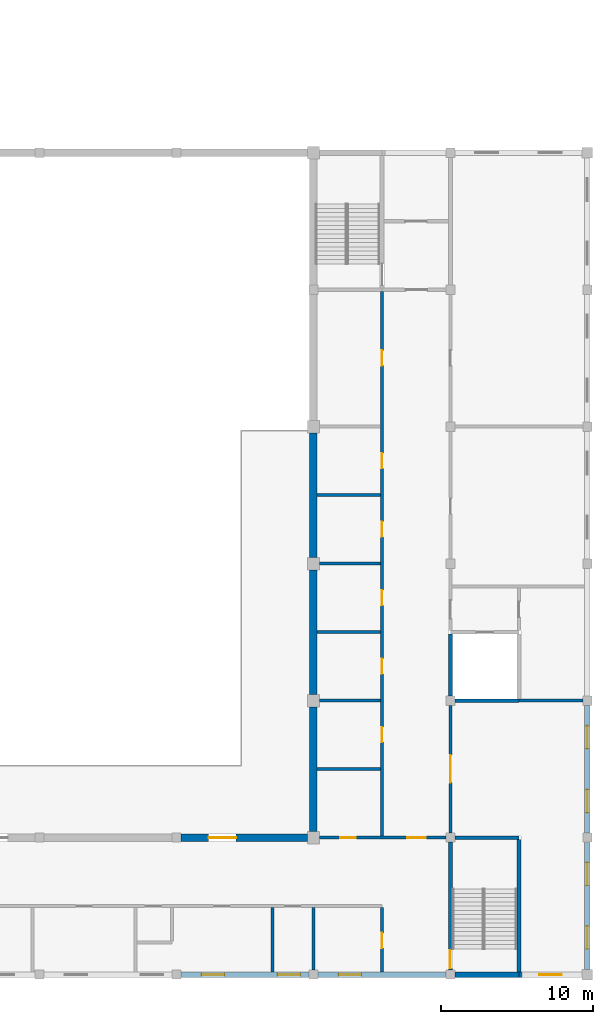
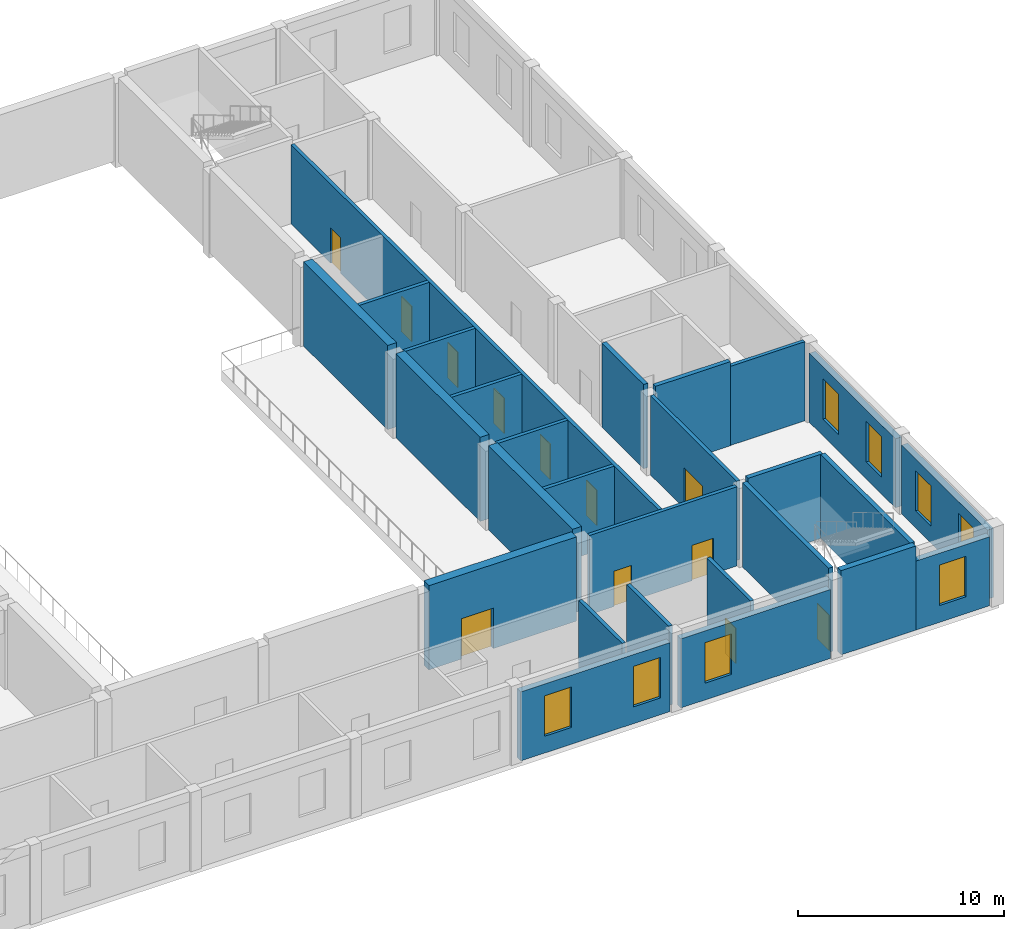
# One storey, part 25 of 34: 27 walls, 12 doors, 8 windows, 20 openings.
"""IFC4 building model written with IfcOpenShell, lengths in metres."""

from ifc_helpers import new_model, si_unit, direction, frame, frame_2d, origin, place, context, subcontext, project, spatial, rectangle, extrude, material, layer, layer_set, type_object, element, fill, save


model = new_model("IFC4")

# Units and contexts
model_context = context("Model", 3, precision=1e-05, world=origin(), true_north=direction((0.0, 1.0)))
body_context = subcontext(model_context, "Body", "Model", "MODEL_VIEW")
ifc_project = project(units=[si_unit("LENGTHUNIT", "METRE"), si_unit("AREAUNIT", "SQUARE_METRE"), si_unit("VOLUMEUNIT", "CUBIC_METRE"), si_unit("PLANEANGLEUNIT", "RADIAN"), si_unit("MASSUNIT", "GRAM", prefix="KILO")], contexts=[model_context])

# Site, building, storey
site_placement = place(None, origin())
site = spatial("IfcSite", under=ifc_project, at=site_placement, CompositionType="ELEMENT")
building_placement = place(site_placement, origin())
building = spatial("IfcBuilding", under=site, at=building_placement, Name="Firuza Court", CompositionType="ELEMENT")
storey_placement = place(building_placement, frame((0.0, 0.0, 14.0)))
storey = spatial("IfcBuildingStorey", under=building, at=storey_placement, Name="L02", CompositionType="ELEMENT", Elevation=14.0)

# Wall, openings, doors
ifc_material_1 = material(Name="Blockwork", Category="masonry")
ifc_layer_1 = layer(ifc_material_1, 0.199951171875)
ifc_layer_set_1 = layer_set([ifc_layer_1], Name="Blockwork")
wall_type_1 = type_object("IfcWallType", Name="HALL PARTITION 200", PredefinedType="STANDARD", material=ifc_layer_set_1)
wall_1_placement = place(storey_placement, frame((135.39990234375, 0.0, 0.0), z_axis=(0.0, 0.0, 1.0), x_axis=(1.0, 0.0, 0.0)))
wall_1 = element("IfcWall", 1, at=wall_1_placement, inside=storey, type_object=wall_type_1, Name="Wall L02.18", PredefinedType="STANDARD", context=body_context, shape_type="SweptSolid", body=[
    extrude(rectangle(XDim=8.300048828125, YDim=0.199951171875, at=frame_2d((4.14990234375, 0.0))), origin(), (0.0, 0.0, 1.0), 4.699951171875),
])
opening_1_placement = place(wall_1_placement, frame((5.77001953125, 0.0, 0.0)))
opening_1 = element("IfcOpeningElement", 2, at=opening_1_placement, cuts=wall_1, Name="Opening H086", PredefinedType="OPENING", context=body_context, shape_type="SweptSolid", body=[
    extrude(rectangle(XDim=1.199951171875, YDim=2.10009765625, at=frame_2d((0.60009765625, 1.050048828125))), frame((0.0, 0.11181640625, 0.0), z_axis=(0.0, -1.0, 0.0), x_axis=(1.0, 0.0, 0.0)), (0.0, 0.0, 1.0), 0.223876953125),
])
opening_2_placement = place(wall_1_placement, frame((1.3701171875, 0.0, 0.0)))
opening_2 = element("IfcOpeningElement", 3, at=opening_2_placement, cuts=wall_1, Name="Opening H107", PredefinedType="OPENING", context=body_context, shape_type="SweptSolid", body=[
    extrude(rectangle(XDim=1.0, YDim=2.10009765625, at=frame_2d((0.5, 1.050048828125))), frame((0.0, 0.11181640625, 0.0), z_axis=(0.0, -1.0, 0.0), x_axis=(1.0, 0.0, 0.0)), (0.0, 0.0, 1.0), 0.223876953125),
])
ifc_material_2 = material(Name="Timber", Category="wood")
door_type_1 = type_object("IfcDoorType", Name="HALL DOOR 1000X2100", OperationType="SINGLE_SWING_LEFT", PredefinedType="DOOR", material=ifc_material_2)
door_1_placement = place(opening_2_placement, origin())
door_1 = element("IfcDoor", 4, at=door_1_placement, inside=storey, type_object=door_type_1, Name="Door Dressing room 7", OperationType="SINGLE_SWING_LEFT", OverallHeight=2.10009765625, OverallWidth=1.0, PredefinedType="DOOR", context=body_context, shape_type="SweptSolid", body=[
    extrude(rectangle(XDim=1.0, YDim=2.10009765625, at=frame_2d((0.5, 1.050048828125))), frame((0.0, 0.02490234375, 0.0), z_axis=(0.0, -1.0, 0.0), x_axis=(1.0, 0.0, 0.0)), (0.0, 0.0, 1.0), 0.050048828125),
])
fill(opening_2, door_1)
ifc_material_3 = material(Name="Timber", Category="wood")
door_type_2 = type_object("IfcDoorType", Name="HALL DOOR 1200X2100", OperationType="SINGLE_SWING_LEFT", PredefinedType="DOOR", material=ifc_material_3)
door_2_placement = place(opening_1_placement, origin())
door_2 = element("IfcDoor", 5, at=door_2_placement, inside=storey, type_object=door_type_2, Name="Door Gallery to Backstage corridor", OperationType="SINGLE_SWING_RIGHT", OverallHeight=2.10009765625, OverallWidth=1.199951171875, PredefinedType="DOOR", context=body_context, shape_type="SweptSolid", body=[
    extrude(rectangle(XDim=1.199951171875, YDim=2.10009765625, at=frame_2d((0.60009765625, 1.050048828125))), frame((0.0, 0.02490234375, 0.0), z_axis=(0.0, -1.0, 0.0), x_axis=(1.0, 0.0, 0.0)), (0.0, 0.0, 1.0), 0.050048828125),
])
fill(opening_1, door_2)

# Walls
wall_2_placement = place(storey_placement, frame((135.25, 4.5, 0.0), z_axis=(0.0, 0.0, 1.0), x_axis=(1.0, 0.0, 0.0)))
element("IfcWall", 6, at=wall_2_placement, inside=storey, type_object=wall_type_1, Name="Wall L02.20", PredefinedType="STANDARD", context=body_context, shape_type="SweptSolid", body=[
    extrude(rectangle(XDim=4.14990234375, YDim=0.199951171875, at=frame_2d((2.074951171875, 0.0))), origin(), (0.0, 0.0, 1.0), 4.699951171875),
])
wall_3_placement = place(storey_placement, frame((135.39990234375, 9.0, 0.0), z_axis=(0.0, 0.0, 1.0), x_axis=(1.0, 0.0, 0.0)))
element("IfcWall", 7, at=wall_3_placement, inside=storey, type_object=wall_type_1, Name="Wall L02.21", PredefinedType="STANDARD", context=body_context, shape_type="SweptSolid", body=[
    extrude(rectangle(XDim=4.0, YDim=0.199951171875, at=frame_2d((2.0, 0.0))), origin(), (0.0, 0.0, 1.0), 4.699951171875),
])
wall_4_placement = place(storey_placement, frame((148.5, 9.0, 0.0), z_axis=(0.0, 0.0, 1.0), x_axis=(1.0, 0.0, 0.0)))
element("IfcWall", 8, at=wall_4_placement, inside=storey, type_object=wall_type_1, Name="Wall L02.23", PredefinedType="STANDARD", context=body_context, shape_type="SweptSolid", body=[
    extrude(rectangle(XDim=4.199951171875, YDim=0.199951171875, at=frame_2d((2.10009765625, 0.0))), origin(), (0.0, 0.0, 1.0), 4.699951171875),
])
wall_5_placement = place(storey_placement, frame((135.25, 13.5, 0.0), z_axis=(0.0, 0.0, 1.0), x_axis=(1.0, 0.0, 0.0)))
element("IfcWall", 9, at=wall_5_placement, inside=storey, type_object=wall_type_1, Name="Wall L02.24", PredefinedType="STANDARD", context=body_context, shape_type="SweptSolid", body=[
    extrude(rectangle(XDim=4.14990234375, YDim=0.199951171875, at=frame_2d((2.074951171875, 0.0))), origin(), (0.0, 0.0, 1.0), 4.699951171875),
])
wall_6_placement = place(storey_placement, frame((135.39990234375, 18.0, 0.0), z_axis=(0.0, 0.0, 1.0), x_axis=(1.0, 0.0, 0.0)))
element("IfcWall", 10, at=wall_6_placement, inside=storey, type_object=wall_type_1, Name="Wall L02.29", PredefinedType="STANDARD", context=body_context, shape_type="SweptSolid", body=[
    extrude(rectangle(XDim=4.0, YDim=0.199951171875, at=frame_2d((2.0, 0.0))), origin(), (0.0, 0.0, 1.0), 4.699951171875),
])
wall_7_placement = place(storey_placement, frame((135.25, 22.5, 0.0), z_axis=(0.0, 0.0, 1.0), x_axis=(1.0, 0.0, 0.0)))
element("IfcWall", 11, at=wall_7_placement, inside=storey, type_object=wall_type_1, Name="Wall L02.30", PredefinedType="STANDARD", context=body_context, shape_type="SweptSolid", body=[
    extrude(rectangle(XDim=4.14990234375, YDim=0.199951171875, at=frame_2d((2.074951171875, 0.0))), origin(), (0.0, 0.0, 1.0), 4.699951171875),
])
wall_8_placement = place(storey_placement, frame((132.300048828125, -8.824951171875, 0.0), z_axis=(0.0, 0.0, 1.0), x_axis=(0.0, 1.0, 0.0)))
element("IfcWall", 12, at=wall_8_placement, inside=storey, type_object=wall_type_1, Name="Wall L02.71", PredefinedType="STANDARD", context=body_context, shape_type="SweptSolid", body=[
    extrude(rectangle(XDim=4.224853515625, YDim=0.199951171875, at=frame_2d((2.1123046875, 0.0))), origin(), (0.0, 0.0, 1.0), 4.699951171875),
])
wall_9_placement = place(storey_placement, frame((135.0, -8.699951171875, 0.0), z_axis=(0.0, 0.0, 1.0), x_axis=(0.0, 1.0, 0.0)))
element("IfcWall", 13, at=wall_9_placement, inside=storey, type_object=wall_type_1, Name="Wall L02.72", PredefinedType="STANDARD", context=body_context, shape_type="SweptSolid", body=[
    extrude(rectangle(XDim=4.099853515625, YDim=0.199951171875, at=frame_2d((2.0498046875, 0.0))), origin(), (0.0, 0.0, 1.0), 4.699951171875),
])

# Wall, opening, door
wall_10_placement = place(storey_placement, frame((139.5, -8.824951171875, 0.0), z_axis=(0.0, 0.0, 1.0), x_axis=(0.0, 1.0, 0.0)))
wall_10 = element("IfcWall", 14, at=wall_10_placement, inside=storey, type_object=wall_type_1, Name="Wall L02.78", PredefinedType="STANDARD", context=body_context, shape_type="SweptSolid", body=[
    extrude(rectangle(XDim=4.224853515625, YDim=0.199951171875, at=frame_2d((2.1123046875, 0.0))), origin(), (0.0, 0.0, 1.0), 4.699951171875),
])
opening_3_placement = place(wall_10_placement, frame((1.570068359375, 0.0, 0.0)))
opening_3 = element("IfcOpeningElement", 15, at=opening_3_placement, cuts=wall_10, Name="Opening H100", PredefinedType="OPENING", context=body_context, shape_type="SweptSolid", body=[
    extrude(rectangle(XDim=1.0, YDim=2.10009765625, at=frame_2d((0.5, 1.050048828125))), frame((0.0, 0.11181640625, 0.0), z_axis=(0.0, -1.0, 0.0), x_axis=(1.0, 0.0, 0.0)), (0.0, 0.0, 1.0), 0.223876953125),
])
door_3_placement = place(opening_3_placement, origin())
door_3 = element("IfcDoor", 16, at=door_3_placement, inside=storey, type_object=door_type_1, Name="Door Instrument workshop", OperationType="SINGLE_SWING_LEFT", OverallHeight=2.10009765625, OverallWidth=1.0, PredefinedType="DOOR", context=body_context, shape_type="SweptSolid", body=[
    extrude(rectangle(XDim=1.0, YDim=2.10009765625, at=frame_2d((0.5, 1.050048828125))), frame((0.0, 0.02490234375, 0.0), z_axis=(0.0, -1.0, 0.0), x_axis=(1.0, 0.0, 0.0)), (0.0, 0.0, 1.0), 0.050048828125),
])
fill(opening_3, door_3)

# Wall, openings, doors
wall_11_placement = place(storey_placement, frame((139.5, 0.10009765625, 0.0), z_axis=(0.0, 0.0, 1.0), x_axis=(0.0, 1.0, 0.0)))
wall_11 = element("IfcWall", 17, at=wall_11_placement, inside=storey, type_object=wall_type_1, Name="Wall L02.79", PredefinedType="STANDARD", context=body_context, shape_type="SweptSolid", body=[
    extrude(rectangle(XDim=35.77490234375, YDim=0.199951171875, at=frame_2d((17.887451171875, 0.0))), origin(), (0.0, 0.0, 1.0), 4.699951171875),
])
opening_4_placement = place(wall_11_placement, frame((6.169921875, 0.0, 0.0)))
opening_4 = element("IfcOpeningElement", 18, at=opening_4_placement, cuts=wall_11, Name="Opening H108", PredefinedType="OPENING", context=body_context, shape_type="SweptSolid", body=[
    extrude(rectangle(XDim=1.0, YDim=2.10009765625, at=frame_2d((0.5, 1.050048828125))), frame((0.0, 0.11181640625, 0.0), z_axis=(0.0, -1.0, 0.0), x_axis=(1.0, 0.0, 0.0)), (0.0, 0.0, 1.0), 0.223876953125),
])
opening_5_placement = place(wall_11_placement, frame((10.669921875, 0.0, 0.0)))
opening_5 = element("IfcOpeningElement", 19, at=opening_5_placement, cuts=wall_11, Name="Opening H109", PredefinedType="OPENING", context=body_context, shape_type="SweptSolid", body=[
    extrude(rectangle(XDim=1.0, YDim=2.10009765625, at=frame_2d((0.5, 1.050048828125))), frame((0.0, 0.11181640625, 0.0), z_axis=(0.0, -1.0, 0.0), x_axis=(1.0, 0.0, 0.0)), (0.0, 0.0, 1.0), 0.223876953125),
])
opening_6_placement = place(wall_11_placement, frame((15.169921875, 0.0, 0.0)))
opening_6 = element("IfcOpeningElement", 20, at=opening_6_placement, cuts=wall_11, Name="Opening H110", PredefinedType="OPENING", context=body_context, shape_type="SweptSolid", body=[
    extrude(rectangle(XDim=1.0, YDim=2.10009765625, at=frame_2d((0.5, 1.050048828125))), frame((0.0, 0.11181640625, 0.0), z_axis=(0.0, -1.0, 0.0), x_axis=(1.0, 0.0, 0.0)), (0.0, 0.0, 1.0), 0.223876953125),
])
opening_7_placement = place(wall_11_placement, frame((19.669921875, 0.0, 0.0)))
opening_7 = element("IfcOpeningElement", 21, at=opening_7_placement, cuts=wall_11, Name="Opening H111", PredefinedType="OPENING", context=body_context, shape_type="SweptSolid", body=[
    extrude(rectangle(XDim=1.0, YDim=2.10009765625, at=frame_2d((0.5, 1.050048828125))), frame((0.0, 0.11181640625, 0.0), z_axis=(0.0, -1.0, 0.0), x_axis=(1.0, 0.0, 0.0)), (0.0, 0.0, 1.0), 0.223876953125),
])
opening_8_placement = place(wall_11_placement, frame((24.169921875, 0.0, 0.0)))
opening_8 = element("IfcOpeningElement", 22, at=opening_8_placement, cuts=wall_11, Name="Opening H112", PredefinedType="OPENING", context=body_context, shape_type="SweptSolid", body=[
    extrude(rectangle(XDim=1.0, YDim=2.10009765625, at=frame_2d((0.5, 1.050048828125))), frame((0.0, 0.11181640625, 0.0), z_axis=(0.0, -1.0, 0.0), x_axis=(1.0, 0.0, 0.0)), (0.0, 0.0, 1.0), 0.223876953125),
])
opening_9_placement = place(wall_11_placement, frame((30.919921875, 0.0, 0.0)))
opening_9 = element("IfcOpeningElement", 23, at=opening_9_placement, cuts=wall_11, Name="Opening H113", PredefinedType="OPENING", context=body_context, shape_type="SweptSolid", body=[
    extrude(rectangle(XDim=1.0, YDim=2.10009765625, at=frame_2d((0.5, 1.050048828125))), frame((0.0, 0.11181640625, 0.0), z_axis=(0.0, -1.0, 0.0), x_axis=(1.0, 0.0, 0.0)), (0.0, 0.0, 1.0), 0.223876953125),
])
door_4_placement = place(opening_4_placement, origin())
door_4 = element("IfcDoor", 24, at=door_4_placement, inside=storey, type_object=door_type_1, Name="Door Dressing room 8", OperationType="SINGLE_SWING_RIGHT", OverallHeight=2.10009765625, OverallWidth=1.0, PredefinedType="DOOR", context=body_context, shape_type="SweptSolid", body=[
    extrude(rectangle(XDim=1.0, YDim=2.10009765625, at=frame_2d((0.5, 1.050048828125))), frame((0.0, 0.02490234375, 0.0), z_axis=(0.0, -1.0, 0.0), x_axis=(1.0, 0.0, 0.0)), (0.0, 0.0, 1.0), 0.050048828125),
])
fill(opening_4, door_4)
door_5_placement = place(opening_5_placement, origin())
door_5 = element("IfcDoor", 25, at=door_5_placement, inside=storey, type_object=door_type_1, Name="Door Dressing room 9", OperationType="SINGLE_SWING_RIGHT", OverallHeight=2.10009765625, OverallWidth=1.0, PredefinedType="DOOR", context=body_context, shape_type="SweptSolid", body=[
    extrude(rectangle(XDim=1.0, YDim=2.10009765625, at=frame_2d((0.5, 1.050048828125))), frame((0.0, 0.02490234375, 0.0), z_axis=(0.0, -1.0, 0.0), x_axis=(1.0, 0.0, 0.0)), (0.0, 0.0, 1.0), 0.050048828125),
])
fill(opening_5, door_5)
door_6_placement = place(opening_6_placement, origin())
door_6 = element("IfcDoor", 26, at=door_6_placement, inside=storey, type_object=door_type_1, Name="Door Dressing room 10", OperationType="SINGLE_SWING_RIGHT", OverallHeight=2.10009765625, OverallWidth=1.0, PredefinedType="DOOR", context=body_context, shape_type="SweptSolid", body=[
    extrude(rectangle(XDim=1.0, YDim=2.10009765625, at=frame_2d((0.5, 1.050048828125))), frame((0.0, 0.02490234375, 0.0), z_axis=(0.0, -1.0, 0.0), x_axis=(1.0, 0.0, 0.0)), (0.0, 0.0, 1.0), 0.050048828125),
])
fill(opening_6, door_6)
door_7_placement = place(opening_7_placement, origin())
door_7 = element("IfcDoor", 27, at=door_7_placement, inside=storey, type_object=door_type_1, Name="Door Dressing room 11", OperationType="SINGLE_SWING_RIGHT", OverallHeight=2.10009765625, OverallWidth=1.0, PredefinedType="DOOR", context=body_context, shape_type="SweptSolid", body=[
    extrude(rectangle(XDim=1.0, YDim=2.10009765625, at=frame_2d((0.5, 1.050048828125))), frame((0.0, 0.02490234375, 0.0), z_axis=(0.0, -1.0, 0.0), x_axis=(1.0, 0.0, 0.0)), (0.0, 0.0, 1.0), 0.050048828125),
])
fill(opening_7, door_7)
door_8_placement = place(opening_8_placement, origin())
door_8 = element("IfcDoor", 28, at=door_8_placement, inside=storey, type_object=door_type_1, Name="Door Dressing room 12", OperationType="SINGLE_SWING_RIGHT", OverallHeight=2.10009765625, OverallWidth=1.0, PredefinedType="DOOR", context=body_context, shape_type="SweptSolid", body=[
    extrude(rectangle(XDim=1.0, YDim=2.10009765625, at=frame_2d((0.5, 1.050048828125))), frame((0.0, 0.02490234375, 0.0), z_axis=(0.0, -1.0, 0.0), x_axis=(1.0, 0.0, 0.0)), (0.0, 0.0, 1.0), 0.050048828125),
])
fill(opening_8, door_8)
door_9_placement = place(opening_9_placement, frame((1.0, 0.0, 0.0), z_axis=(0.0, 0.0, 1.0), x_axis=(-1.0, 0.0, 0.0)))
door_9 = element("IfcDoor", 29, at=door_9_placement, inside=storey, type_object=door_type_1, Name="Door Choir rehearsal room", OperationType="SINGLE_SWING_LEFT", OverallHeight=2.10009765625, OverallWidth=1.0, PredefinedType="DOOR", context=body_context, shape_type="SweptSolid", body=[
    extrude(rectangle(XDim=1.0, YDim=2.10009765625, at=frame_2d((0.5, 1.050048828125))), frame((0.0, 0.02490234375, 0.0), z_axis=(0.0, -1.0, 0.0), x_axis=(1.0, 0.0, 0.0)), (0.0, 0.0, 1.0), 0.050048828125),
])
fill(opening_9, door_9)

# Wall, opening, door
wall_12_placement = place(storey_placement, frame((144.0, 0.300048828125, 0.0), z_axis=(0.0, 0.0, 1.0), x_axis=(0.0, 1.0, 0.0)))
wall_12 = element("IfcWall", 30, at=wall_12_placement, inside=storey, type_object=wall_type_1, Name="Wall L02.82", PredefinedType="STANDARD", context=body_context, shape_type="SweptSolid", body=[
    extrude(rectangle(XDim=8.39990234375, YDim=0.199951171875, at=frame_2d((4.199951171875, 0.0))), origin(), (0.0, 0.0, 1.0), 4.699951171875),
])
opening_10_placement = place(wall_12_placement, frame((3.320068359375, 0.0, 0.0)))
opening_10 = element("IfcOpeningElement", 31, at=opening_10_placement, cuts=wall_12, Name="Opening H114", PredefinedType="OPENING", context=body_context, shape_type="SweptSolid", body=[
    extrude(rectangle(XDim=1.800048828125, YDim=2.39990234375, at=frame_2d((0.89990234375, 1.199951171875))), frame((0.0, 0.11181640625, 0.0), z_axis=(0.0, -1.0, 0.0), x_axis=(1.0, 0.0, 0.0)), (0.0, 0.0, 1.0), 0.223876953125),
])
ifc_material_4 = material(Name="Timber", Category="wood")
door_type_3 = type_object("IfcDoorType", Name="HALL DOOR 1800X2400", OperationType="DOUBLE_DOOR_SINGLE_SWING", PredefinedType="DOOR", material=ifc_material_4)
door_10_placement = place(opening_10_placement, origin())
door_10 = element("IfcDoor", 32, at=door_10_placement, inside=storey, type_object=door_type_3, Name="Door Rehearsal room 2", OperationType="DOUBLE_DOOR_SINGLE_SWING", OverallHeight=2.39990234375, OverallWidth=1.800048828125, PredefinedType="DOOR", context=body_context, shape_type="SweptSolid", body=[
    extrude(rectangle(XDim=1.800048828125, YDim=2.39990234375, at=frame_2d((0.89990234375, 1.199951171875))), frame((0.0, 0.02490234375, 0.0), z_axis=(0.0, -1.0, 0.0), x_axis=(1.0, 0.0, 0.0)), (0.0, 0.0, 1.0), 0.050048828125),
])
fill(opening_10, door_10)

# Walls
ifc_material_5 = material(Name="Concrete C40/50", Category="concrete")
ifc_layer_2 = layer(ifc_material_5, 0.25)
ifc_layer_set_2 = layer_set([ifc_layer_2], Name="Concrete C40/50")
wall_type_2 = type_object("IfcWallType", Name="HALL RC WALL 250", PredefinedType="STANDARD", material=ifc_layer_set_2)
for number, where, z_axis, x_axis, name in (
    (33, (144.300048828125, 0.0, 0.0), (0.0, 0.0, 1.0), (1.0, 0.0, 0.0), "Wall L02.19"),
    (34, (144.300048828125, 9.0, 0.0), (0.0, 0.0, 1.0), (1.0, 0.0, 0.0), "Wall L02.22"),
):
    element("IfcWall", number, at=place(storey_placement, frame(where, z_axis=z_axis, x_axis=x_axis)), inside=storey, type_object=wall_type_2, Name=name, PredefinedType="STANDARD", context=body_context, shape_type="SweptSolid", body=[
        extrude(rectangle(XDim=4.199951171875, YDim=0.25, at=frame_2d((2.10009765625, 0.0))), origin(), (0.0, 0.0, 1.0), 5.0),
    ])

# Wall, opening, door
wall_13_placement = place(storey_placement, frame((144.0, -8.699951171875, 0.0), z_axis=(0.0, 0.0, 1.0), x_axis=(0.0, 1.0, 0.0)))
wall_13 = element("IfcWall", 35, at=wall_13_placement, inside=storey, type_object=wall_type_2, Name="Wall L02.81", PredefinedType="STANDARD", context=body_context, shape_type="SweptSolid", body=[
    extrude(rectangle(XDim=8.39990234375, YDim=0.25, at=frame_2d((4.199951171875, 0.0))), origin(), (0.0, 0.0, 1.0), 5.0),
])
opening_11_placement = place(wall_13_placement, frame((0.1201171875, 0.0, 0.0)))
opening_11 = element("IfcOpeningElement", 36, at=opening_11_placement, cuts=wall_13, Name="Opening H096", PredefinedType="OPENING", context=body_context, shape_type="SweptSolid", body=[
    extrude(rectangle(XDim=1.199951171875, YDim=2.10009765625, at=frame_2d((0.60009765625, 1.050048828125))), frame((0.0, 0.136962890625, 0.0), z_axis=(0.0, -1.0, 0.0), x_axis=(1.0, 0.0, 0.0)), (0.0, 0.0, 1.0), 0.27392578125),
])
door_11_placement = place(opening_11_placement, frame((1.199951171875, 0.0, 0.0), z_axis=(0.0, 0.0, 1.0), x_axis=(-1.0, 0.0, 0.0)))
door_11 = element("IfcDoor", 37, at=door_11_placement, inside=storey, type_object=door_type_2, Name="Stair H2 door", OperationType="SINGLE_SWING_RIGHT", OverallHeight=2.10009765625, OverallWidth=1.199951171875, PredefinedType="DOOR", context=body_context, shape_type="SweptSolid", body=[
    extrude(rectangle(XDim=1.199951171875, YDim=2.10009765625, at=frame_2d((0.60009765625, 1.050048828125))), frame((0.0, 0.02490234375, 0.0), z_axis=(0.0, -1.0, 0.0), x_axis=(1.0, 0.0, 0.0)), (0.0, 0.0, 1.0), 0.050048828125),
])
fill(opening_11, door_11)

# Walls
wall_14_placement = place(storey_placement, frame((144.0, 9.300048828125, 0.0), z_axis=(0.0, 0.0, 1.0), x_axis=(0.0, 1.0, 0.0)))
element("IfcWall", 38, at=wall_14_placement, inside=storey, type_object=wall_type_2, Name="Wall L02.83", PredefinedType="STANDARD", context=body_context, shape_type="SweptSolid", body=[
    extrude(rectangle(XDim=4.074951171875, YDim=0.25, at=frame_2d((2.03759765625, 0.0))), origin(), (0.0, 0.0, 1.0), 5.0),
])
wall_15_placement = place(storey_placement, frame((148.5, -8.824951171875, 0.0), z_axis=(0.0, 0.0, 1.0), x_axis=(0.0, 1.0, 0.0)))
element("IfcWall", 39, at=wall_15_placement, inside=storey, type_object=wall_type_2, Name="Wall L02.88", PredefinedType="STANDARD", context=body_context, shape_type="SweptSolid", body=[
    extrude(rectangle(XDim=8.699951171875, YDim=0.25, at=frame_2d((4.35009765625, 0.0))), origin(), (0.0, 0.0, 1.0), 5.0),
])

# Wall, opening, door
ifc_layer_3 = layer(ifc_material_5, 0.5)
ifc_layer_set_3 = layer_set([ifc_layer_3], Name="Concrete C40/50")
wall_type_3 = type_object("IfcWallType", Name="HALL RC WALL 500", PredefinedType="STANDARD", material=ifc_layer_set_3)
wall_16_placement = place(storey_placement, frame((126.300048828125, 0.0, 0.0), z_axis=(0.0, 0.0, 1.0), x_axis=(1.0, 0.0, 0.0)))
wall_16 = element("IfcWall", 40, at=wall_16_placement, inside=storey, type_object=wall_type_3, Name="Wall L02.17", PredefinedType="STANDARD", context=body_context, shape_type="SweptSolid", body=[
    extrude(rectangle(XDim=8.300048828125, YDim=0.5, at=frame_2d((4.14990234375, 0.0))), origin(), (0.0, 0.0, 1.0), 5.0),
])
opening_12_placement = place(wall_16_placement, frame((1.820068359375, 0.0, 0.0)))
opening_12 = element("IfcOpeningElement", 41, at=opening_12_placement, cuts=wall_16, Name="Opening H093", PredefinedType="OPENING", context=body_context, shape_type="SweptSolid", body=[
    extrude(rectangle(XDim=1.800048828125, YDim=2.39990234375, at=frame_2d((0.89990234375, 1.199951171875))), frame((0.0, 0.261962890625, 0.0), z_axis=(0.0, -1.0, 0.0), x_axis=(1.0, 0.0, 0.0)), (0.0, 0.0, 1.0), 0.52392578125),
])
door_12_placement = place(opening_12_placement, origin())
door_12 = element("IfcDoor", 42, at=door_12_placement, inside=storey, type_object=door_type_3, Name="Exit door balcony south 2 L02", OperationType="DOUBLE_DOOR_SINGLE_SWING", OverallHeight=2.39990234375, OverallWidth=1.800048828125, PredefinedType="DOOR", context=body_context, shape_type="SweptSolid", body=[
    extrude(rectangle(XDim=1.800048828125, YDim=2.39990234375, at=frame_2d((0.89990234375, 1.199951171875))), frame((0.0, 0.02490234375, 0.0), z_axis=(0.0, -1.0, 0.0), x_axis=(1.0, 0.0, 0.0)), (0.0, 0.0, 1.0), 0.050048828125),
])
fill(opening_12, door_12)

# Walls
for number, where, z_axis, x_axis, name in (
    (43, (135.0, 0.39990234375, 0.0), (0.0, 0.0, 1.0), (0.0, 1.0, 0.0), "Wall L02.73"),
    (44, (135.0, 9.39990234375, 0.0), (0.0, 0.0, 1.0), (0.0, 1.0, 0.0), "Wall L02.74"),
    (45, (135.0, 18.39990234375, 0.0), (0.0, 0.0, 1.0), (0.0, 1.0, 0.0), "Wall L02.75"),
):
    element("IfcWall", number, at=place(storey_placement, frame(where, z_axis=z_axis, x_axis=x_axis)), inside=storey, type_object=wall_type_3, Name=name, PredefinedType="STANDARD", context=body_context, shape_type="SweptSolid", body=[
        extrude(rectangle(XDim=8.2001953125, YDim=0.5, at=frame_2d((4.10009765625, 0.0))), origin(), (0.0, 0.0, 1.0), 5.0),
    ])

# Wall, openings, windows
ifc_material_6 = material(Name="Concrete C30/37", Category="concrete")
ifc_layer_4 = layer(ifc_material_6, 0.300048828125)
ifc_material_7 = material(Name="Ceramic tile", Category="ceramic")
ifc_layer_5 = layer(ifc_material_7, 0.050048828125)
ifc_layer_set_4 = layer_set([ifc_layer_4, ifc_layer_5], Name="Concrete C30/37")
wall_type_4 = type_object("IfcWallType", Name="HALL TILE CLAD WALL 350", PredefinedType="STANDARD", material=ifc_layer_set_4)
wall_17_placement = place(storey_placement, frame((126.300048828125, -9.0, 0.0), z_axis=(0.0, 0.0, 1.0), x_axis=(1.0, 0.0, 0.0)))
wall_17 = element("IfcWall", 46, at=wall_17_placement, inside=storey, type_object=wall_type_4, Name="Wall L02.6", PredefinedType="STANDARD", context=body_context, shape_type="SweptSolid", body=[
    extrude(rectangle(XDim=8.39990234375, YDim=0.35009765625, at=frame_2d((4.199951171875, 0.0))), origin(), (0.0, 0.0, 1.0), 4.10009765625),
])
opening_13_placement = place(wall_17_placement, frame((1.35009765625, 0.0, 1.0)))
opening_13 = element("IfcOpeningElement", 47, at=opening_13_placement, cuts=wall_17, Name="Opening HW-1", PredefinedType="OPENING", context=body_context, shape_type="SweptSolid", body=[
    extrude(rectangle(XDim=1.5, YDim=2.39990234375, at=frame_2d((0.75, 1.199951171875))), frame((0.0, 0.18701171875, 0.0), z_axis=(0.0, -1.0, 0.0), x_axis=(1.0, 0.0, 0.0)), (0.0, 0.0, 1.0), 0.3740234375),
])
opening_14_placement = place(wall_17_placement, frame((6.35009765625, 0.0, 1.0)))
opening_14 = element("IfcOpeningElement", 48, at=opening_14_placement, cuts=wall_17, Name="Opening HW-1", PredefinedType="OPENING", context=body_context, shape_type="SweptSolid", body=[
    extrude(rectangle(XDim=1.5, YDim=2.39990234375, at=frame_2d((0.75, 1.199951171875))), frame((0.0, 0.18701171875, 0.0), z_axis=(0.0, -1.0, 0.0), x_axis=(1.0, 0.0, 0.0)), (0.0, 0.0, 1.0), 0.3740234375),
])
ifc_material_8 = material(Name="Aluminium", Category="aluminium")
window_type = type_object("IfcWindowType", Name="HALL WINDOW 1500X2400", PartitioningType="SINGLE_PANEL", PredefinedType="WINDOW", material=ifc_material_8)
window_1_placement = place(opening_13_placement, origin())
window_1 = element("IfcWindow", 49, at=window_1_placement, inside=storey, type_object=window_type, Name="Window L02.52", OverallHeight=2.39990234375, OverallWidth=1.5, PartitioningType="SINGLE_PANEL", PredefinedType="WINDOW", context=body_context, shape_type="SweptSolid", body=[
    extrude(rectangle(XDim=1.5, YDim=2.39990234375, at=frame_2d((0.75, 1.199951171875))), frame((0.0, 0.030029296875, 0.0), z_axis=(0.0, -1.0, 0.0), x_axis=(1.0, 0.0, 0.0)), (0.0, 0.0, 1.0), 0.06005859375),
])
fill(opening_13, window_1)
window_2_placement = place(opening_14_placement, origin())
window_2 = element("IfcWindow", 50, at=window_2_placement, inside=storey, type_object=window_type, Name="Window L02.53", OverallHeight=2.39990234375, OverallWidth=1.5, PartitioningType="SINGLE_PANEL", PredefinedType="WINDOW", context=body_context, shape_type="SweptSolid", body=[
    extrude(rectangle(XDim=1.5, YDim=2.39990234375, at=frame_2d((0.75, 1.199951171875))), frame((0.0, 0.030029296875, 0.0), z_axis=(0.0, -1.0, 0.0), x_axis=(1.0, 0.0, 0.0)), (0.0, 0.0, 1.0), 0.06005859375),
])
fill(opening_14, window_2)

# Wall, opening, window
wall_18_placement = place(storey_placement, frame((135.300048828125, -9.0, 0.0), z_axis=(0.0, 0.0, 1.0), x_axis=(1.0, 0.0, 0.0)))
wall_18 = element("IfcWall", 51, at=wall_18_placement, inside=storey, type_object=wall_type_4, Name="Wall L02.7", PredefinedType="STANDARD", context=body_context, shape_type="SweptSolid", body=[
    extrude(rectangle(XDim=8.39990234375, YDim=0.35009765625, at=frame_2d((4.199951171875, 0.0))), origin(), (0.0, 0.0, 1.0), 4.10009765625),
])
opening_15_placement = place(wall_18_placement, frame((1.35009765625, 0.0, 1.0)))
opening_15 = element("IfcOpeningElement", 52, at=opening_15_placement, cuts=wall_18, Name="Opening HW-1", PredefinedType="OPENING", context=body_context, shape_type="SweptSolid", body=[
    extrude(rectangle(XDim=1.5, YDim=2.39990234375, at=frame_2d((0.75, 1.199951171875))), frame((0.0, 0.18701171875, 0.0), z_axis=(0.0, -1.0, 0.0), x_axis=(1.0, 0.0, 0.0)), (0.0, 0.0, 1.0), 0.3740234375),
])
window_3_placement = place(opening_15_placement, origin())
window_3 = element("IfcWindow", 53, at=window_3_placement, inside=storey, type_object=window_type, Name="Window L02.54", OverallHeight=2.39990234375, OverallWidth=1.5, PartitioningType="SINGLE_PANEL", PredefinedType="WINDOW", context=body_context, shape_type="SweptSolid", body=[
    extrude(rectangle(XDim=1.5, YDim=2.39990234375, at=frame_2d((0.75, 1.199951171875))), frame((0.0, 0.030029296875, 0.0), z_axis=(0.0, -1.0, 0.0), x_axis=(1.0, 0.0, 0.0)), (0.0, 0.0, 1.0), 0.06005859375),
])
fill(opening_15, window_3)

# Wall
wall_19_placement = place(storey_placement, frame((144.300048828125, -9.0, 0.0), z_axis=(0.0, 0.0, 1.0), x_axis=(1.0, 0.0, 0.0)))
element("IfcWall", 54, at=wall_19_placement, inside=storey, type_object=wall_type_4, Name="Wall L02.8", PredefinedType="STANDARD", context=body_context, shape_type="SweptSolid", body=[
    extrude(rectangle(XDim=4.199951171875, YDim=0.35009765625, at=frame_2d((2.10009765625, 0.0))), origin(), (0.0, 0.0, 1.0), 5.0),
])

# Wall, opening, window
wall_20_placement = place(storey_placement, frame((148.5, -9.0, 0.0), z_axis=(0.0, 0.0, 1.0), x_axis=(1.0, 0.0, 0.0)))
wall_20 = element("IfcWall", 55, at=wall_20_placement, inside=storey, type_object=wall_type_4, Name="Wall L02.9", PredefinedType="STANDARD", context=body_context, shape_type="SweptSolid", body=[
    extrude(rectangle(XDim=4.14990234375, YDim=0.35009765625, at=frame_2d((2.074951171875, 0.0))), origin(), (0.0, 0.0, 1.0), 4.10009765625),
])
opening_16_placement = place(wall_20_placement, frame((1.324951171875, 0.0, 1.0)))
opening_16 = element("IfcOpeningElement", 56, at=opening_16_placement, cuts=wall_20, Name="Opening HW-1", PredefinedType="OPENING", context=body_context, shape_type="SweptSolid", body=[
    extrude(rectangle(XDim=1.5, YDim=2.39990234375, at=frame_2d((0.75, 1.199951171875))), frame((0.0, 0.18701171875, 0.0), z_axis=(0.0, -1.0, 0.0), x_axis=(1.0, 0.0, 0.0)), (0.0, 0.0, 1.0), 0.3740234375),
])
window_4_placement = place(opening_16_placement, origin())
window_4 = element("IfcWindow", 57, at=window_4_placement, inside=storey, type_object=window_type, Name="Window L02.55", OverallHeight=2.39990234375, OverallWidth=1.5, PartitioningType="SINGLE_PANEL", PredefinedType="WINDOW", context=body_context, shape_type="SweptSolid", body=[
    extrude(rectangle(XDim=1.5, YDim=2.39990234375, at=frame_2d((0.75, 1.199951171875))), frame((0.0, 0.030029296875, 0.0), z_axis=(0.0, -1.0, 0.0), x_axis=(1.0, 0.0, 0.0)), (0.0, 0.0, 1.0), 0.06005859375),
])
fill(opening_16, window_4)

# Wall, openings, windows
wall_21_placement = place(storey_placement, frame((153.0, -8.64990234375, 0.0), z_axis=(0.0, 0.0, 1.0), x_axis=(0.0, 1.0, 0.0)))
wall_21 = element("IfcWall", 58, at=wall_21_placement, inside=storey, type_object=wall_type_4, Name="Wall L02.91", PredefinedType="STANDARD", context=body_context, shape_type="SweptSolid", body=[
    extrude(rectangle(XDim=8.349853515625, YDim=0.35009765625, at=frame_2d((4.1748046875, 0.0))), origin(), (0.0, 0.0, 1.0), 4.10009765625),
])
opening_17_placement = place(wall_21_placement, frame((1.33740234375, 0.0, 1.0)))
opening_17 = element("IfcOpeningElement", 59, at=opening_17_placement, cuts=wall_21, Name="Opening HW-1", PredefinedType="OPENING", context=body_context, shape_type="SweptSolid", body=[
    extrude(rectangle(XDim=1.5, YDim=2.39990234375, at=frame_2d((0.75, 1.199951171875))), frame((0.0, 0.18701171875, 0.0), z_axis=(0.0, -1.0, 0.0), x_axis=(1.0, 0.0, 0.0)), (0.0, 0.0, 1.0), 0.3740234375),
])
opening_18_placement = place(wall_21_placement, frame((5.512451171875, 0.0, 1.0)))
opening_18 = element("IfcOpeningElement", 60, at=opening_18_placement, cuts=wall_21, Name="Opening HW-1", PredefinedType="OPENING", context=body_context, shape_type="SweptSolid", body=[
    extrude(rectangle(XDim=1.5, YDim=2.39990234375, at=frame_2d((0.75, 1.199951171875))), frame((0.0, 0.18701171875, 0.0), z_axis=(0.0, -1.0, 0.0), x_axis=(1.0, 0.0, 0.0)), (0.0, 0.0, 1.0), 0.3740234375),
])
window_5_placement = place(opening_17_placement, origin())
window_5 = element("IfcWindow", 61, at=window_5_placement, inside=storey, type_object=window_type, Name="Window L02.66", OverallHeight=2.39990234375, OverallWidth=1.5, PartitioningType="SINGLE_PANEL", PredefinedType="WINDOW", context=body_context, shape_type="SweptSolid", body=[
    extrude(rectangle(XDim=1.5, YDim=2.39990234375, at=frame_2d((0.75, 1.199951171875))), frame((0.0, 0.030029296875, 0.0), z_axis=(0.0, -1.0, 0.0), x_axis=(1.0, 0.0, 0.0)), (0.0, 0.0, 1.0), 0.06005859375),
])
fill(opening_17, window_5)
window_6_placement = place(opening_18_placement, origin())
window_6 = element("IfcWindow", 62, at=window_6_placement, inside=storey, type_object=window_type, Name="Window L02.67", OverallHeight=2.39990234375, OverallWidth=1.5, PartitioningType="SINGLE_PANEL", PredefinedType="WINDOW", context=body_context, shape_type="SweptSolid", body=[
    extrude(rectangle(XDim=1.5, YDim=2.39990234375, at=frame_2d((0.75, 1.199951171875))), frame((0.0, 0.030029296875, 0.0), z_axis=(0.0, -1.0, 0.0), x_axis=(1.0, 0.0, 0.0)), (0.0, 0.0, 1.0), 0.06005859375),
])
fill(opening_18, window_6)

wall_22_placement = place(storey_placement, frame((153.0, 0.300048828125, 0.0), z_axis=(0.0, 0.0, 1.0), x_axis=(0.0, 1.0, 0.0)))
wall_22 = element("IfcWall", 63, at=wall_22_placement, inside=storey, type_object=wall_type_4, Name="Wall L02.92", PredefinedType="STANDARD", context=body_context, shape_type="SweptSolid", body=[
    extrude(rectangle(XDim=8.39990234375, YDim=0.35009765625, at=frame_2d((4.199951171875, 0.0))), origin(), (0.0, 0.0, 1.0), 4.10009765625),
])
opening_19_placement = place(wall_22_placement, frame((1.35009765625, 0.0, 1.0)))
opening_19 = element("IfcOpeningElement", 64, at=opening_19_placement, cuts=wall_22, Name="Opening HW-1", PredefinedType="OPENING", context=body_context, shape_type="SweptSolid", body=[
    extrude(rectangle(XDim=1.5, YDim=2.39990234375, at=frame_2d((0.75, 1.199951171875))), frame((0.0, 0.18701171875, 0.0), z_axis=(0.0, -1.0, 0.0), x_axis=(1.0, 0.0, 0.0)), (0.0, 0.0, 1.0), 0.3740234375),
])
opening_20_placement = place(wall_22_placement, frame((5.550048828125, 0.0, 1.0)))
opening_20 = element("IfcOpeningElement", 65, at=opening_20_placement, cuts=wall_22, Name="Opening HW-1", PredefinedType="OPENING", context=body_context, shape_type="SweptSolid", body=[
    extrude(rectangle(XDim=1.5, YDim=2.39990234375, at=frame_2d((0.75, 1.199951171875))), frame((0.0, 0.18701171875, 0.0), z_axis=(0.0, -1.0, 0.0), x_axis=(1.0, 0.0, 0.0)), (0.0, 0.0, 1.0), 0.3740234375),
])
window_7_placement = place(opening_19_placement, origin())
window_7 = element("IfcWindow", 66, at=window_7_placement, inside=storey, type_object=window_type, Name="Window L02.68", OverallHeight=2.39990234375, OverallWidth=1.5, PartitioningType="SINGLE_PANEL", PredefinedType="WINDOW", context=body_context, shape_type="SweptSolid", body=[
    extrude(rectangle(XDim=1.5, YDim=2.39990234375, at=frame_2d((0.75, 1.199951171875))), frame((0.0, 0.030029296875, 0.0), z_axis=(0.0, -1.0, 0.0), x_axis=(1.0, 0.0, 0.0)), (0.0, 0.0, 1.0), 0.06005859375),
])
fill(opening_19, window_7)
window_8_placement = place(opening_20_placement, origin())
window_8 = element("IfcWindow", 67, at=window_8_placement, inside=storey, type_object=window_type, Name="Window L02.69", OverallHeight=2.39990234375, OverallWidth=1.5, PartitioningType="SINGLE_PANEL", PredefinedType="WINDOW", context=body_context, shape_type="SweptSolid", body=[
    extrude(rectangle(XDim=1.5, YDim=2.39990234375, at=frame_2d((0.75, 1.199951171875))), frame((0.0, 0.030029296875, 0.0), z_axis=(0.0, -1.0, 0.0), x_axis=(1.0, 0.0, 0.0)), (0.0, 0.0, 1.0), 0.06005859375),
])
fill(opening_20, window_8)

save(model, "model.ifc")
